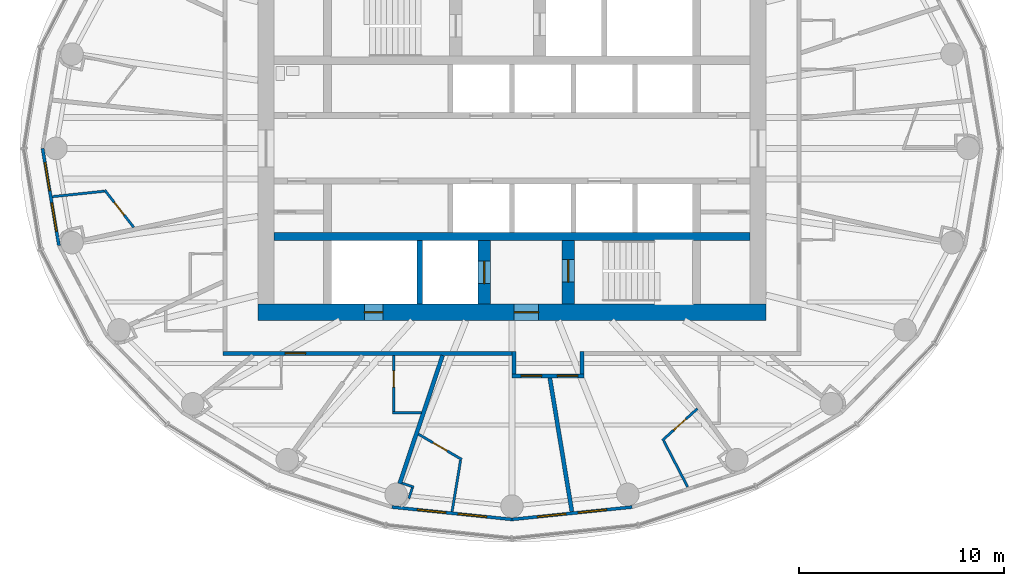
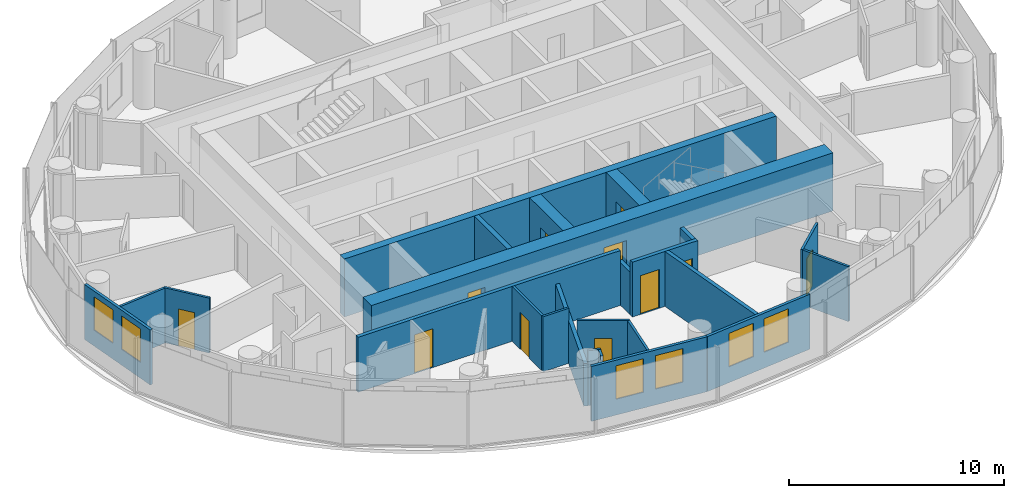
# One storey, part 7 of 14: 24 walls, 11 doors, 6 windows, 17 openings.
"""IFC4 building model written with IfcOpenShell, lengths in metres."""

import ifcopenshell
import ifcopenshell.guid

model = None  # the IFC model being written
_history = None  # IfcOwnerHistory: only IFC2X3 demands one
_inside = {}  # id of a spatial element -> (the spatial element, [elements in it])
_under = {}  # id of a project, library or spatial element -> (it, [spatial elements below it])
_declared = {}  # id of a project -> (the project, [libraries it declares])
_typed = {}  # id of a type object -> (the type object, [elements of that type])
_made_of = {}  # id of a material, layer set ... -> (it, [elements and type objects made of it])


def new_model(schema):
    """Start an empty IFC model of exactly this schema.

    Asked for "IFC4X3", IfcOpenShell would pick the latest addendum, in which some entities
    have other attributes; the version numbers below select the first issue.
    IFC2X3 requires an IfcOwnerHistory on every rooted entity: one is made here for all.
    """
    global model, _history
    if schema == "IFC4X3":
        model = ifcopenshell.file(schema_version=(4, 3, 0, 0))
    else:
        model = ifcopenshell.file(schema=schema)
    _inside.clear()
    _under.clear()
    _declared.clear()
    _typed.clear()
    _made_of.clear()
    _history = None
    if model.schema == "IFC2X3":
        org = make("IfcOrganization", Name="unknown")
        user = make(
            "IfcPersonAndOrganization",
            ThePerson=make("IfcPerson", FamilyName="unknown"),
            TheOrganization=org,
        )
        app = make(
            "IfcApplication",
            ApplicationDeveloper=org,
            Version="unknown",
            ApplicationFullName="unknown",
            ApplicationIdentifier="unknown",
        )
        _history = make(
            "IfcOwnerHistory",
            OwningUser=user,
            OwningApplication=app,
            ChangeAction="ADDED",
            CreationDate=0,
        )
    return model


def make(cls, **values):
    """One entity of the class cls with the attributes given. An attribute that is None is left unset."""
    return model.create_entity(
        cls, **{name: value for name, value in values.items() if value is not None}
    )


def rooted(cls, **values):
    """An entity with a GlobalId (a new one), such as an element, a storey or a relation."""
    return make(cls, GlobalId=ifcopenshell.guid.new(), OwnerHistory=_history, **values)


def si_unit(unit_type, name, prefix=None):
    """IfcSIUnit, for example si_unit("LENGTHUNIT", "METRE", prefix="MILLI")."""
    return make("IfcSIUnit", UnitType=unit_type, Prefix=prefix, Name=name)


def assignment(units):
    """IfcUnitAssignment: the units of a project."""
    return None if units is None else make("IfcUnitAssignment", Units=units)


def point(xyz):
    """IfcCartesianPoint."""
    return None if xyz is None else make("IfcCartesianPoint", Coordinates=xyz)


def direction(xyz):
    """IfcDirection."""
    return None if xyz is None else make("IfcDirection", DirectionRatios=xyz)


def frame(location, z_axis=None, x_axis=None):
    """IfcAxis2Placement3D, a coordinate frame: its origin and axes. An axis left out is left unset."""
    return make(
        "IfcAxis2Placement3D",
        Location=point(location),
        Axis=direction(z_axis),
        RefDirection=direction(x_axis),
    )


def frame_2d(location, x_axis=None):
    """IfcAxis2Placement2D, a coordinate frame in the plane: its origin and x axis."""
    return make(
        "IfcAxis2Placement2D", Location=point(location), RefDirection=direction(x_axis)
    )


def origin():
    """The frame at (0, 0, 0) with its axes left unset."""
    return frame((0.0, 0.0, 0.0))


def place(relative_to, where):
    """IfcLocalPlacement: puts the frame where relative to a parent placement (None: the world)."""
    return make(
        "IfcLocalPlacement", PlacementRelTo=relative_to, RelativePlacement=where
    )


def context(
    kind, dimensions, precision=None, world=None, true_north=None, identifier=None
):
    """IfcGeometricRepresentationContext, for example the 3D "Model" context."""
    return make(
        "IfcGeometricRepresentationContext",
        ContextIdentifier=identifier,
        ContextType=kind,
        CoordinateSpaceDimension=dimensions,
        Precision=precision,
        WorldCoordinateSystem=world,
        TrueNorth=true_north,
    )


def subcontext(parent, identifier, kind, view, scale=None):
    """IfcGeometricRepresentationSubContext, for example "Body" below "Model"."""
    return make(
        "IfcGeometricRepresentationSubContext",
        ContextIdentifier=identifier,
        ContextType=kind,
        ParentContext=parent,
        TargetScale=scale,
        TargetView=view,
    )


def project(units=None, contexts=None):
    """IfcProject with its units and contexts."""
    return rooted(
        "IfcProject",
        Name="project",
        RepresentationContexts=contexts,
        UnitsInContext=assignment(units),
    )


def spatial(cls, under=None, at=None, **own):
    """A site, building, storey or space (cls), placed at a placement, below another one or the project."""
    s = rooted(cls, ObjectPlacement=at, **own)
    if under is not None:
        _under.setdefault(under.id(), (under, []))[1].append(s)
    return s


def profile(cls, at=None, kind="AREA", **sizes):
    """A parametric profile (cls). Its sizes go by their IFC names, for example OverallWidth=200.0."""
    return make(cls, ProfileType=kind, Position=at, **sizes)


def rectangle(**sizes):
    """IfcRectangleProfileDef."""
    return profile("IfcRectangleProfileDef", **sizes)


def extrude(swept, where, along, depth):
    """IfcExtrudedAreaSolid: the profile swept, set in the frame where, extruded along a direction by depth."""
    return make(
        "IfcExtrudedAreaSolid",
        SweptArea=swept,
        Position=where,
        ExtrudedDirection=direction(along),
        Depth=depth,
    )


def shape(context_of_items, identifier, shape_type, items):
    """IfcShapeRepresentation: the items that make up one representation, for example the "Body"."""
    return make(
        "IfcShapeRepresentation",
        ContextOfItems=context_of_items,
        RepresentationIdentifier=identifier,
        RepresentationType=shape_type,
        Items=items,
    )


def material(Name=None, Category=None):
    """IfcMaterial."""
    return make("IfcMaterial", Name=Name, Category=Category)


def layer(
    of_material, thickness, ventilated=None, Name=None, Category=None, Priority=None
):
    """IfcMaterialLayer: one layer of a wall or slab, of a material (None: an air gap)."""
    return make(
        "IfcMaterialLayer",
        Material=of_material,
        LayerThickness=thickness,
        IsVentilated=ventilated,
        Name=Name,
        Category=Category,
        Priority=Priority,
    )


def layer_set(layers, Name=None):
    """IfcMaterialLayerSet."""
    return make("IfcMaterialLayerSet", MaterialLayers=layers, LayerSetName=Name)


def made_of(thing, what):
    """Note that an element or type object is made of a material, layer set ...; save() writes the relation."""
    if what is not None:
        _made_of.setdefault(what.id(), (what, []))[1].append(thing)
    return thing


def type_object(cls, material=None, **own):
    """A type object (cls), such as IfcWallType, which elements share."""
    return made_of(rooted(cls, **own), material)


def element(
    cls,
    number,
    at=None,
    inside=None,
    cuts=None,
    type_object=None,
    material=None,
    context=None,
    identifier="Body",
    shape_type=None,
    held_by="IfcProductDefinitionShape",
    body=None,
    shapes=None,
    **own,
):
    """One element of the class cls, such as IfcWall. Its Tag is "e" and its number.

    at: its placement. inside: the storey or other place that contains it. cuts: it is an
    opening in that element (IfcRelVoidsElement). A single representation is given by context,
    identifier, shape_type and body (its items); several are given by shapes. held_by: the class
    of the entity that holds the representations. save() writes the other relations.
    """
    e = rooted(cls, Tag="e%d" % number, ObjectPlacement=at, **own)
    if body is not None:
        shapes = [shape(context, identifier, shape_type, body)]
    if shapes is not None:
        e.Representation = make(held_by, Representations=shapes)
    if inside is not None:
        _inside.setdefault(inside.id(), (inside, []))[1].append(e)
    if cuts is not None:
        rooted(
            "IfcRelVoidsElement", RelatingBuildingElement=cuts, RelatedOpeningElement=e
        )
    if type_object is not None:
        _typed.setdefault(type_object.id(), (type_object, []))[1].append(e)
    return made_of(e, material)


def fill(opening, filler):
    """IfcRelFillsElement: the door or window that sits in an opening."""
    return rooted(
        "IfcRelFillsElement",
        RelatingOpeningElement=opening,
        RelatedBuildingElement=filler,
    )


def aggregate(whole, parts):
    """IfcRelAggregates: a whole, such as a stair, and the parts it consists of."""
    return rooted("IfcRelAggregates", RelatingObject=whole, RelatedObjects=parts)


def save(model, path):
    """Write the relations noted so far, then the file.

    IfcRelAggregates (storeys below a building ...), IfcRelContainedInSpatialStructure (elements
    in a storey), IfcRelDefinesByType, IfcRelAssociatesMaterial and IfcRelDeclares: one each for
    every whole, place, type object, material and project.
    """
    for whole, parts in _under.values():
        aggregate(whole, parts)
    for where, things in _inside.values():
        rooted(
            "IfcRelContainedInSpatialStructure",
            RelatedElements=things,
            RelatingStructure=where,
        )
    for kind, things in _typed.values():
        rooted("IfcRelDefinesByType", RelatedObjects=things, RelatingType=kind)
    for what, things in _made_of.values():
        rooted("IfcRelAssociatesMaterial", RelatedObjects=things, RelatingMaterial=what)
    for by, libraries in _declared.values():
        rooted("IfcRelDeclares", RelatingContext=by, RelatedDefinitions=libraries)
    model.write(path)


model = new_model("IFC4")

# Units and contexts
model_context = context("Model", 3, precision=1e-05, world=origin(), true_north=direction((0.0, 1.0)))
body_context = subcontext(model_context, "Body", "Model", "MODEL_VIEW")
ifc_project = project(units=[si_unit("LENGTHUNIT", "METRE"), si_unit("AREAUNIT", "SQUARE_METRE"), si_unit("VOLUMEUNIT", "CUBIC_METRE"), si_unit("PLANEANGLEUNIT", "RADIAN"), si_unit("MASSUNIT", "GRAM", prefix="KILO")], contexts=[model_context])

# Site, building, storey
site_placement = place(None, origin())
site = spatial("IfcSite", under=ifc_project, at=site_placement, CompositionType="ELEMENT")
building_placement = place(site_placement, origin())
building = spatial("IfcBuilding", under=site, at=building_placement, Name="Hankou Lantern Tower", CompositionType="ELEMENT")
storey_placement = place(building_placement, frame((0.0, 0.0, 176.39990234375)))
storey = spatial("IfcBuildingStorey", under=building, at=storey_placement, Name="L47", CompositionType="ELEMENT", Elevation=176.39990234375)

# Wall, openings, doors
ifc_material_1 = material(Name="Concrete C60", Category="concrete")
ifc_layer_1 = layer(ifc_material_1, 0.800048828125)
ifc_layer_set_1 = layer_set([ifc_layer_1], Name="Concrete C60")
wall_type_1 = type_object("IfcWallType", Name="CW2 CORE WALL 800", PredefinedType="SHEAR", material=ifc_layer_set_1)
wall_1_placement = place(storey_placement, frame((12.39990234375, -8.0, 0.0), z_axis=(0.0, 0.0, 1.0), x_axis=(-1.0, 0.0, 0.0)))
wall_1 = element("IfcWall", 1, at=wall_1_placement, inside=storey, type_object=wall_type_1, Name="Core wall south L47", PredefinedType="SHEAR", context=body_context, shape_type="SweptSolid", body=[
    extrude(rectangle(XDim=24.7998046875, YDim=0.800048828125, at=frame_2d((12.39990234375, 0.0))), origin(), (0.0, 0.0, 1.0), 3.300048828125),
])
opening_1_placement = place(wall_1_placement, frame((11.10009765625, 0.0, 0.0)))
opening_1 = element("IfcOpeningElement", 2, at=opening_1_placement, cuts=wall_1, Name="Opening D5", PredefinedType="OPENING", context=body_context, shape_type="SweptSolid", body=[
    extrude(rectangle(XDim=1.199951171875, YDim=2.199951171875, at=frame_2d((0.60009765625, 1.10009765625))), frame((0.0, 0.409912109375, 0.0), z_axis=(0.0, -1.0, 0.0), x_axis=(1.0, 0.0, 0.0)), (0.0, 0.0, 1.0), 0.820068359375),
])
opening_2_placement = place(wall_1_placement, frame((18.699951171875, 0.0, 0.0)))
opening_2 = element("IfcOpeningElement", 3, at=opening_2_placement, cuts=wall_1, Name="Opening D7", PredefinedType="OPENING", context=body_context, shape_type="SweptSolid", body=[
    extrude(rectangle(XDim=0.89990234375, YDim=2.199951171875, at=frame_2d((0.449951171875, 1.10009765625))), frame((0.0, 0.409912109375, 0.0), z_axis=(0.0, -1.0, 0.0), x_axis=(1.0, 0.0, 0.0)), (0.0, 0.0, 1.0), 0.820068359375),
])
ifc_material_2 = material(Name="Steel door leaf", Category="steel")
door_type_1 = type_object("IfcDoorType", Name="D5 STAIR LOBBY DOOR 1200X2200", OperationType="SINGLE_SWING_LEFT", PredefinedType="DOOR", material=ifc_material_2)
door_1_placement = place(opening_1_placement, origin())
door_1 = element("IfcDoor", 4, at=door_1_placement, inside=storey, type_object=door_type_1, Name="Stair B lobby door", OperationType="SINGLE_SWING_LEFT", OverallHeight=2.199951171875, OverallWidth=1.199951171875, PredefinedType="DOOR", context=body_context, shape_type="SweptSolid", body=[
    extrude(rectangle(XDim=1.199951171875, YDim=2.199951171875, at=frame_2d((0.60009765625, 1.10009765625))), frame((0.0, 0.02490234375, 0.0), z_axis=(0.0, -1.0, 0.0), x_axis=(1.0, 0.0, 0.0)), (0.0, 0.0, 1.0), 0.050048828125),
])
fill(opening_1, door_1)
ifc_material_3 = material(Name="Steel door leaf", Category="steel")
door_type_2 = type_object("IfcDoorType", Name="D7 RISER DOOR 900X2200", OperationType="SINGLE_SWING_LEFT", PredefinedType="DOOR", material=ifc_material_3)
door_2_placement = place(opening_2_placement, origin())
door_2 = element("IfcDoor", 5, at=door_2_placement, inside=storey, type_object=door_type_2, Name="Riser S1 door", OperationType="SINGLE_SWING_RIGHT", OverallHeight=2.199951171875, OverallWidth=0.89990234375, PredefinedType="DOOR", context=body_context, shape_type="SweptSolid", body=[
    extrude(rectangle(XDim=0.89990234375, YDim=2.199951171875, at=frame_2d((0.449951171875, 1.10009765625))), frame((0.0, 0.02490234375, 0.0), z_axis=(0.0, -1.0, 0.0), x_axis=(1.0, 0.0, 0.0)), (0.0, 0.0, 1.0), 0.050048828125),
])
fill(opening_2, door_2)

# Wall
ifc_material_4 = material(Name="Concrete C60", Category="concrete")
ifc_layer_2 = layer(ifc_material_4, 0.39990234375)
ifc_layer_set_2 = layer_set([ifc_layer_2], Name="Concrete C60")
wall_type_2 = type_object("IfcWallType", Name="CW4 CORE CROSS WALL 400", PredefinedType="SHEAR", material=ifc_layer_set_2)
wall_2_placement = place(storey_placement, frame((-11.60009765625, -4.300048828125, 0.0), z_axis=(0.0, 0.0, 1.0), x_axis=(1.0, 0.0, 0.0)))
element("IfcWall", 6, at=wall_2_placement, inside=storey, type_object=wall_type_2, Name="Core band wall south L47", PredefinedType="SHEAR", context=body_context, shape_type="SweptSolid", body=[
    extrude(rectangle(XDim=23.2001953125, YDim=0.39990234375, at=frame_2d((11.60009765625, 0.0))), origin(), (0.0, 0.0, 1.0), 3.300048828125),
])

# Wall, opening, door
ifc_material_5 = material(Name="Concrete C60", Category="concrete")
ifc_layer_3 = layer(ifc_material_5, 0.60009765625)
ifc_layer_set_3 = layer_set([ifc_layer_3], Name="Concrete C60")
wall_type_3 = type_object("IfcWallType", Name="CW6 STAIR AND SHAFT WALL 600", PredefinedType="SHEAR", material=ifc_layer_set_3)
wall_3_placement = place(storey_placement, frame((2.75, -7.60009765625, 0.0), z_axis=(0.0, 0.0, 1.0), x_axis=(0.0, 1.0, 0.0)))
wall_3 = element("IfcWall", 7, at=wall_3_placement, inside=storey, type_object=wall_type_3, Name="Stair wall L47", PredefinedType="SHEAR", context=body_context, shape_type="SweptSolid", body=[
    extrude(rectangle(XDim=3.10009765625, YDim=0.60009765625, at=frame_2d((1.550048828125, 0.0))), origin(), (0.0, 0.0, 1.0), 3.300048828125),
])
opening_3_placement = place(wall_3_placement, frame((1.074951171875, 0.0, 0.0)))
opening_3 = element("IfcOpeningElement", 8, at=opening_3_placement, cuts=wall_3, Name="Opening D4", PredefinedType="OPENING", context=body_context, shape_type="SweptSolid", body=[
    extrude(rectangle(XDim=1.10009765625, YDim=2.199951171875, at=frame_2d((0.550048828125, 1.10009765625))), frame((0.0, 0.31005859375, 0.0), z_axis=(0.0, -1.0, 0.0), x_axis=(1.0, 0.0, 0.0)), (0.0, 0.0, 1.0), 0.6201171875),
])
ifc_material_6 = material(Name="Steel door leaf", Category="steel")
door_type_3 = type_object("IfcDoorType", Name="D4 STAIR DOOR 1100X2200", OperationType="SINGLE_SWING_LEFT", PredefinedType="DOOR", material=ifc_material_6)
door_3_placement = place(opening_3_placement, origin())
door_3 = element("IfcDoor", 9, at=door_3_placement, inside=storey, type_object=door_type_3, Name="Stair B door", OperationType="SINGLE_SWING_RIGHT", OverallHeight=2.199951171875, OverallWidth=1.10009765625, PredefinedType="DOOR", context=body_context, shape_type="SweptSolid", body=[
    extrude(rectangle(XDim=1.10009765625, YDim=2.199951171875, at=frame_2d((0.550048828125, 1.10009765625))), frame((0.0, 0.02490234375, 0.0), z_axis=(0.0, -1.0, 0.0), x_axis=(1.0, 0.0, 0.0)), (0.0, 0.0, 1.0), 0.050048828125),
])
fill(opening_3, door_3)

wall_4_placement = place(storey_placement, frame((-1.35009765625, -7.60009765625, 0.0), z_axis=(0.0, 0.0, 1.0), x_axis=(0.0, 1.0, 0.0)))
wall_4 = element("IfcWall", 10, at=wall_4_placement, inside=storey, type_object=wall_type_3, Name="Firefighting lift shaft wall L47", PredefinedType="SHEAR", context=body_context, shape_type="SweptSolid", body=[
    extrude(rectangle(XDim=3.10009765625, YDim=0.60009765625, at=frame_2d((1.550048828125, 0.0))), origin(), (0.0, 0.0, 1.0), 3.300048828125),
])
opening_4_placement = place(wall_4_placement, frame((1.0, 0.0, 0.0)))
opening_4 = element("IfcOpeningElement", 11, at=opening_4_placement, cuts=wall_4, Name="Opening LD2", PredefinedType="OPENING", context=body_context, shape_type="SweptSolid", body=[
    extrude(rectangle(XDim=1.10009765625, YDim=2.199951171875, at=frame_2d((0.550048828125, 1.10009765625))), frame((0.0, 0.31005859375, 0.0), z_axis=(0.0, -1.0, 0.0), x_axis=(1.0, 0.0, 0.0)), (0.0, 0.0, 1.0), 0.6201171875),
])
ifc_material_7 = material(Name="Steel door leaf", Category="steel")
door_type_4 = type_object("IfcDoorType", Name="LD2 FIREFIGHTING LIFT LANDING DOOR 1100X2200", OperationType="DOUBLE_DOOR_SLIDING", PredefinedType="DOOR", material=ifc_material_7)
door_4_placement = place(opening_4_placement, origin())
door_4 = element("IfcDoor", 12, at=door_4_placement, inside=storey, type_object=door_type_4, Name="Firefighting lift FL2 landing door", OperationType="DOUBLE_DOOR_SLIDING", OverallHeight=2.199951171875, OverallWidth=1.10009765625, PredefinedType="DOOR", context=body_context, shape_type="SweptSolid", body=[
    extrude(rectangle(XDim=1.10009765625, YDim=2.199951171875, at=frame_2d((0.550048828125, 1.10009765625))), frame((0.0, 0.02490234375, 0.0), z_axis=(0.0, -1.0, 0.0), x_axis=(1.0, 0.0, 0.0)), (0.0, 0.0, 1.0), 0.050048828125),
])
fill(opening_4, door_4)

# Wall, openings, windows
ifc_material_8 = material(Name="Aluminium spandrel panel on steel studs", Category="steel")
ifc_layer_4 = layer(ifc_material_8, 0.14990234375)
ifc_layer_set_4 = layer_set([ifc_layer_4], Name="Aluminium spandrel panel on steel studs")
wall_type_4 = type_object("IfcWallType", Name="EW1 INNER SKIN WALL 150", PredefinedType="ELEMENTEDWALL", material=ifc_layer_set_4)
wall_5_placement = place(storey_placement, frame((-22.89990234375, 0.0, 0.0), z_axis=(0.0, 0.0, 1.0), x_axis=(0.166162111254, -0.986098449843, 0.0)))
wall_5 = element("IfcWall", 13, at=wall_5_placement, inside=storey, type_object=wall_type_4, Name="Inner skin R13-R14 L47", PredefinedType="ELEMENTEDWALL", context=body_context, shape_type="SweptSolid", body=[
    extrude(rectangle(XDim=4.8046875, YDim=0.14990234375, at=frame_2d((2.40234375, 0.0))), origin(), (0.0, 0.0, 1.0), 3.1201171875),
])
opening_5_placement = place(wall_5_placement, frame((0.7021484375, 0.0, 0.89990234375)))
opening_5 = element("IfcOpeningElement", 14, at=opening_5_placement, cuts=wall_5, Name="Opening W3", PredefinedType="OPENING", context=body_context, shape_type="SweptSolid", body=[
    extrude(rectangle(XDim=1.39990234375, YDim=1.89990234375, at=frame_2d((0.699951171875, 0.949951171875))), frame((0.0, 0.0849609375, 0.0), z_axis=(0.0, -1.0, 0.0), x_axis=(1.0, 0.0, 0.0)), (0.0, 0.0, 1.0), 0.169921875),
])
opening_6_placement = place(wall_5_placement, frame((2.7021484375, 0.0, 0.89990234375)))
opening_6 = element("IfcOpeningElement", 15, at=opening_6_placement, cuts=wall_5, Name="Opening W3", PredefinedType="OPENING", context=body_context, shape_type="SweptSolid", body=[
    extrude(rectangle(XDim=1.39990234375, YDim=1.89990234375, at=frame_2d((0.699951171875, 0.949951171875))), frame((0.0, 0.0849609375, 0.0), z_axis=(0.0, -1.0, 0.0), x_axis=(1.0, 0.0, 0.0)), (0.0, 0.0, 1.0), 0.169921875),
])
ifc_material_9 = material(Name="Aluminium framed double glazed window", Category="aluminium")
window_type = type_object("IfcWindowType", Name="W3 GUEST ROOM WINDOW 1400X1900", PartitioningType="DOUBLE_PANEL_VERTICAL", PredefinedType="WINDOW", material=ifc_material_9)
window_1_placement = place(opening_5_placement, origin())
window_1 = element("IfcWindow", 16, at=window_1_placement, inside=storey, type_object=window_type, Name="Window R13.1 L47", OverallHeight=1.89990234375, OverallWidth=1.39990234375, PartitioningType="SINGLE_PANEL", PredefinedType="WINDOW", context=body_context, shape_type="SweptSolid", body=[
    extrude(rectangle(XDim=1.39990234375, YDim=1.89990234375, at=frame_2d((0.699951171875, 0.949951171875))), frame((0.0, 0.030029296875, 0.0), z_axis=(0.0, -1.0, 0.0), x_axis=(1.0, 0.0, 0.0)), (0.0, 0.0, 1.0), 0.06005859375),
])
fill(opening_5, window_1)
window_2_placement = place(opening_6_placement, origin())
window_2 = element("IfcWindow", 17, at=window_2_placement, inside=storey, type_object=window_type, Name="Window R13.2 L47", OverallHeight=1.89990234375, OverallWidth=1.39990234375, PartitioningType="SINGLE_PANEL", PredefinedType="WINDOW", context=body_context, shape_type="SweptSolid", body=[
    extrude(rectangle(XDim=1.39990234375, YDim=1.89990234375, at=frame_2d((0.699951171875, 0.949951171875))), frame((0.0, 0.030029296875, 0.0), z_axis=(0.0, -1.0, 0.0), x_axis=(1.0, 0.0, 0.0)), (0.0, 0.0, 1.0), 0.06005859375),
])
fill(opening_6, window_2)

wall_6_placement = place(storey_placement, frame((-5.8603515625, -17.497314453125, 0.0), z_axis=(0.0, 0.0, 1.0), x_axis=(0.994751738032, -0.102318032045, 0.0)))
wall_6 = element("IfcWall", 18, at=wall_6_placement, inside=storey, type_object=wall_type_4, Name="Inner skin R18-R19 L47", PredefinedType="ELEMENTEDWALL", context=body_context, shape_type="SweptSolid", body=[
    extrude(rectangle(XDim=5.891357421875, YDim=0.14990234375, at=frame_2d((2.94580078125, 0.0))), origin(), (0.0, 0.0, 1.0), 3.1201171875),
])
opening_7_placement = place(wall_6_placement, frame((1.24560546875, 0.0, 0.89990234375)))
opening_7 = element("IfcOpeningElement", 19, at=opening_7_placement, cuts=wall_6, Name="Opening W3", PredefinedType="OPENING", context=body_context, shape_type="SweptSolid", body=[
    extrude(rectangle(XDim=1.39990234375, YDim=1.89990234375, at=frame_2d((0.699951171875, 0.949951171875))), frame((0.0, 0.0849609375, 0.0), z_axis=(0.0, -1.0, 0.0), x_axis=(1.0, 0.0, 0.0)), (0.0, 0.0, 1.0), 0.169921875),
])
opening_8_placement = place(wall_6_placement, frame((3.24560546875, 0.0, 0.89990234375)))
opening_8 = element("IfcOpeningElement", 20, at=opening_8_placement, cuts=wall_6, Name="Opening W3", PredefinedType="OPENING", context=body_context, shape_type="SweptSolid", body=[
    extrude(rectangle(XDim=1.39990234375, YDim=1.89990234375, at=frame_2d((0.699951171875, 0.949951171875))), frame((0.0, 0.0849609375, 0.0), z_axis=(0.0, -1.0, 0.0), x_axis=(1.0, 0.0, 0.0)), (0.0, 0.0, 1.0), 0.169921875),
])
window_3_placement = place(opening_7_placement, origin())
window_3 = element("IfcWindow", 21, at=window_3_placement, inside=storey, type_object=window_type, Name="Window R18.1 L47", OverallHeight=1.89990234375, OverallWidth=1.39990234375, PartitioningType="SINGLE_PANEL", PredefinedType="WINDOW", context=body_context, shape_type="SweptSolid", body=[
    extrude(rectangle(XDim=1.39990234375, YDim=1.89990234375, at=frame_2d((0.699951171875, 0.949951171875))), frame((0.0, 0.030029296875, 0.0), z_axis=(0.0, -1.0, 0.0), x_axis=(1.0, 0.0, 0.0)), (0.0, 0.0, 1.0), 0.06005859375),
])
fill(opening_7, window_3)
window_4_placement = place(opening_8_placement, origin())
window_4 = element("IfcWindow", 22, at=window_4_placement, inside=storey, type_object=window_type, Name="Window R18.2 L47", OverallHeight=1.89990234375, OverallWidth=1.39990234375, PartitioningType="SINGLE_PANEL", PredefinedType="WINDOW", context=body_context, shape_type="SweptSolid", body=[
    extrude(rectangle(XDim=1.39990234375, YDim=1.89990234375, at=frame_2d((0.699951171875, 0.949951171875))), frame((0.0, 0.030029296875, 0.0), z_axis=(0.0, -1.0, 0.0), x_axis=(1.0, 0.0, 0.0)), (0.0, 0.0, 1.0), 0.06005859375),
])
fill(opening_8, window_4)

wall_7_placement = place(storey_placement, frame((0.0, -18.10009765625, 0.0), z_axis=(0.0, 0.0, 1.0), x_axis=(0.994751738032, 0.102318032045, 0.0)))
wall_7 = element("IfcWall", 23, at=wall_7_placement, inside=storey, type_object=wall_type_4, Name="Inner skin R19-R20 L47", PredefinedType="ELEMENTEDWALL", context=body_context, shape_type="SweptSolid", body=[
    extrude(rectangle(XDim=5.891357421875, YDim=0.14990234375, at=frame_2d((2.94580078125, 0.0))), origin(), (0.0, 0.0, 1.0), 3.1201171875),
])
opening_9_placement = place(wall_7_placement, frame((1.24560546875, 0.0, 0.89990234375)))
opening_9 = element("IfcOpeningElement", 24, at=opening_9_placement, cuts=wall_7, Name="Opening W3", PredefinedType="OPENING", context=body_context, shape_type="SweptSolid", body=[
    extrude(rectangle(XDim=1.39990234375, YDim=1.89990234375, at=frame_2d((0.699951171875, 0.949951171875))), frame((0.0, 0.0849609375, 0.0), z_axis=(0.0, -1.0, 0.0), x_axis=(1.0, 0.0, 0.0)), (0.0, 0.0, 1.0), 0.169921875),
])
opening_10_placement = place(wall_7_placement, frame((3.24560546875, 0.0, 0.89990234375)))
opening_10 = element("IfcOpeningElement", 25, at=opening_10_placement, cuts=wall_7, Name="Opening W3", PredefinedType="OPENING", context=body_context, shape_type="SweptSolid", body=[
    extrude(rectangle(XDim=1.39990234375, YDim=1.89990234375, at=frame_2d((0.699951171875, 0.949951171875))), frame((0.0, 0.0849609375, 0.0), z_axis=(0.0, -1.0, 0.0), x_axis=(1.0, 0.0, 0.0)), (0.0, 0.0, 1.0), 0.169921875),
])
window_5_placement = place(opening_9_placement, origin())
window_5 = element("IfcWindow", 26, at=window_5_placement, inside=storey, type_object=window_type, Name="Window R19.1 L47", OverallHeight=1.89990234375, OverallWidth=1.39990234375, PartitioningType="SINGLE_PANEL", PredefinedType="WINDOW", context=body_context, shape_type="SweptSolid", body=[
    extrude(rectangle(XDim=1.39990234375, YDim=1.89990234375, at=frame_2d((0.699951171875, 0.949951171875))), frame((0.0, 0.030029296875, 0.0), z_axis=(0.0, -1.0, 0.0), x_axis=(1.0, 0.0, 0.0)), (0.0, 0.0, 1.0), 0.06005859375),
])
fill(opening_9, window_5)
window_6_placement = place(opening_10_placement, origin())
window_6 = element("IfcWindow", 27, at=window_6_placement, inside=storey, type_object=window_type, Name="Window R19.2 L47", OverallHeight=1.89990234375, OverallWidth=1.39990234375, PartitioningType="SINGLE_PANEL", PredefinedType="WINDOW", context=body_context, shape_type="SweptSolid", body=[
    extrude(rectangle(XDim=1.39990234375, YDim=1.89990234375, at=frame_2d((0.699951171875, 0.949951171875))), frame((0.0, 0.030029296875, 0.0), z_axis=(0.0, -1.0, 0.0), x_axis=(1.0, 0.0, 0.0)), (0.0, 0.0, 1.0), 0.06005859375),
])
fill(opening_10, window_6)

# Walls
ifc_material_10 = material(Name="Masonry lightweight concrete block", Category="masonry")
ifc_layer_5 = layer(ifc_material_10, 0.199951171875)
ifc_layer_set_5 = layer_set([ifc_layer_5], Name="Masonry lightweight concrete block")
wall_type_5 = type_object("IfcWallType", Name="IW1 GUEST ROOM PARTY WALL 200", PredefinedType="PARTITIONING", material=ifc_layer_set_5)
wall_8_placement = place(storey_placement, frame((-3.3828125, -10.10009765625, 0.0), z_axis=(0.0, 0.0, 1.0), x_axis=(-0.317615120474, -0.948219718866, 0.0)))
element("IfcWall", 28, at=wall_8_placement, inside=storey, type_object=wall_type_5, Name="Party wall R18", PredefinedType="PARTITIONING", context=body_context, shape_type="SweptSolid", body=[
    extrude(rectangle(XDim=6.597412109375, YDim=0.199951171875, at=frame_2d((3.298828125, 0.0))), origin(), (0.0, 0.0, 1.0), 2.420166015625),
])
wall_9_placement = place(storey_placement, frame((1.8466796875, -11.199951171875, 0.0), z_axis=(0.0, 0.0, 1.0), x_axis=(0.162695449404, -0.986676335352, 0.0)))
element("IfcWall", 29, at=wall_9_placement, inside=storey, type_object=wall_type_5, Name="Party wall R19-R20", PredefinedType="PARTITIONING", context=body_context, shape_type="SweptSolid", body=[
    extrude(rectangle(XDim=6.60107421875, YDim=0.199951171875, at=frame_2d((3.300537109375, 0.0))), origin(), (0.0, 0.0, 1.0), 3.1201171875),
])

# Wall, openings, doors
ifc_material_11 = material(Name="Masonry lightweight concrete block", Category="masonry")
ifc_layer_6 = layer(ifc_material_11, 0.199951171875)
ifc_layer_set_6 = layer_set([ifc_layer_6], Name="Masonry lightweight concrete block")
wall_type_6 = type_object("IfcWallType", Name="IW2 CORRIDOR WALL 200", PredefinedType="PARTITIONING", material=ifc_layer_set_6)
wall_10_placement = place(storey_placement, frame((3.51806640625, -11.10009765625, 0.0), z_axis=(0.0, 0.0, 1.0), x_axis=(-1.0, 0.0, 0.0)))
wall_10 = element("IfcWall", 30, at=wall_10_placement, inside=storey, type_object=wall_type_6, Name="Corridor alcove wall 4703-4704 back", PredefinedType="PARTITIONING", context=body_context, shape_type="SweptSolid", body=[
    extrude(rectangle(XDim=3.52392578125, YDim=0.199951171875, at=frame_2d((1.761962890625, 0.0))), origin(), (0.0, 0.0, 1.0), 3.1201171875),
])
opening_11_placement = place(wall_10_placement, frame((2.070068359375, 0.0, 0.0)))
opening_11 = element("IfcOpeningElement", 31, at=opening_11_placement, cuts=wall_10, Name="Opening D1", PredefinedType="OPENING", context=body_context, shape_type="SweptSolid", body=[
    extrude(rectangle(XDim=1.0, YDim=2.199951171875, at=frame_2d((0.5, 1.10009765625))), frame((0.0, 0.10986328125, 0.0), z_axis=(0.0, -1.0, 0.0), x_axis=(1.0, 0.0, 0.0)), (0.0, 0.0, 1.0), 0.219970703125),
])
opening_12_placement = place(wall_10_placement, frame((0.300048828125, 0.0, 0.0)))
opening_12 = element("IfcOpeningElement", 32, at=opening_12_placement, cuts=wall_10, Name="Opening D1", PredefinedType="OPENING", context=body_context, shape_type="SweptSolid", body=[
    extrude(rectangle(XDim=1.0, YDim=2.199951171875, at=frame_2d((0.5, 1.10009765625))), frame((0.0, 0.10986328125, 0.0), z_axis=(0.0, -1.0, 0.0), x_axis=(1.0, 0.0, 0.0)), (0.0, 0.0, 1.0), 0.219970703125),
])
ifc_material_12 = material(Name="Steel door leaf", Category="steel")
door_type_5 = type_object("IfcDoorType", Name="D1 GUEST ROOM DOOR 1000X2200", OperationType="SINGLE_SWING_LEFT", PredefinedType="DOOR", material=ifc_material_12)
door_5_placement = place(opening_11_placement, origin())
door_5 = element("IfcDoor", 33, at=door_5_placement, inside=storey, type_object=door_type_5, Name="Guest room door 4703", OperationType="SINGLE_SWING_LEFT", OverallHeight=2.199951171875, OverallWidth=1.0, PredefinedType="DOOR", context=body_context, shape_type="SweptSolid", body=[
    extrude(rectangle(XDim=1.0, YDim=2.199951171875, at=frame_2d((0.5, 1.10009765625))), frame((0.0, 0.02490234375, 0.0), z_axis=(0.0, -1.0, 0.0), x_axis=(1.0, 0.0, 0.0)), (0.0, 0.0, 1.0), 0.050048828125),
])
fill(opening_11, door_5)
door_6_placement = place(opening_12_placement, origin())
door_6 = element("IfcDoor", 34, at=door_6_placement, inside=storey, type_object=door_type_5, Name="Guest room door 4704", OperationType="SINGLE_SWING_RIGHT", OverallHeight=2.199951171875, OverallWidth=1.0, PredefinedType="DOOR", context=body_context, shape_type="SweptSolid", body=[
    extrude(rectangle(XDim=1.0, YDim=2.199951171875, at=frame_2d((0.5, 1.10009765625))), frame((0.0, 0.02490234375, 0.0), z_axis=(0.0, -1.0, 0.0), x_axis=(1.0, 0.0, 0.0)), (0.0, 0.0, 1.0), 0.050048828125),
])
fill(opening_12, door_6)

# Walls
wall_11_placement = place(storey_placement, frame((3.418212890625, -9.89990234375, 0.0), z_axis=(0.0, 0.0, 1.0), x_axis=(0.0, -1.0, 0.0)))
element("IfcWall", 35, at=wall_11_placement, inside=storey, type_object=wall_type_6, Name="Corridor alcove wall 4703-4704 left", PredefinedType="PARTITIONING", context=body_context, shape_type="SweptSolid", body=[
    extrude(rectangle(XDim=1.10009765625, YDim=0.199951171875, at=frame_2d((0.550048828125, 0.0))), origin(), (0.0, 0.0, 1.0), 3.1201171875),
])
wall_12_placement = place(storey_placement, frame((0.093994140625, -9.89990234375, 0.0), z_axis=(0.0, 0.0, 1.0), x_axis=(0.0, -1.0, 0.0)))
element("IfcWall", 36, at=wall_12_placement, inside=storey, type_object=wall_type_6, Name="Corridor alcove wall 4703-4704 right", PredefinedType="PARTITIONING", context=body_context, shape_type="SweptSolid", body=[
    extrude(rectangle(XDim=1.10009765625, YDim=0.199951171875, at=frame_2d((0.550048828125, 0.0))), origin(), (0.0, 0.0, 1.0), 2.420166015625),
])

# Wall, opening, door
wall_13_placement = place(storey_placement, frame((-0.005859375, -10.0, 0.0), z_axis=(0.0, 0.0, 1.0), x_axis=(-1.0, 0.0, 0.0)))
wall_13 = element("IfcWall", 37, at=wall_13_placement, inside=storey, type_object=wall_type_6, Name="Corridor wall south", PredefinedType="PARTITIONING", context=body_context, shape_type="SweptSolid", body=[
    extrude(rectangle(XDim=14.09423828125, YDim=0.199951171875, at=frame_2d((7.047119140625, 0.0))), origin(), (0.0, 0.0, 1.0), 3.1201171875),
])
opening_13_placement = place(wall_13_placement, frame((10.05908203125, 0.0, 0.0)))
opening_13 = element("IfcOpeningElement", 38, at=opening_13_placement, cuts=wall_13, Name="Opening D2", PredefinedType="OPENING", context=body_context, shape_type="SweptSolid", body=[
    extrude(rectangle(XDim=1.0, YDim=2.199951171875, at=frame_2d((0.5, 1.10009765625))), frame((0.0, 0.10986328125, 0.0), z_axis=(0.0, -1.0, 0.0), x_axis=(1.0, 0.0, 0.0)), (0.0, 0.0, 1.0), 0.219970703125),
])
ifc_material_13 = material(Name="Steel door leaf", Category="steel")
door_type_6 = type_object("IfcDoorType", Name="D2 SUITE DOOR 1000X2200", OperationType="SINGLE_SWING_LEFT", PredefinedType="DOOR", material=ifc_material_13)
door_7_placement = place(opening_13_placement, origin())
door_7 = element("IfcDoor", 39, at=door_7_placement, inside=storey, type_object=door_type_6, Name="Suite door 4702C", OperationType="SINGLE_SWING_RIGHT", OverallHeight=2.199951171875, OverallWidth=1.0, PredefinedType="DOOR", context=body_context, shape_type="SweptSolid", body=[
    extrude(rectangle(XDim=1.0, YDim=2.199951171875, at=frame_2d((0.5, 1.10009765625))), frame((0.0, 0.02490234375, 0.0), z_axis=(0.0, -1.0, 0.0), x_axis=(1.0, 0.0, 0.0)), (0.0, 0.0, 1.0), 0.050048828125),
])
fill(opening_13, door_7)

# Wall
ifc_material_14 = material(Name="Masonry lightweight concrete block", Category="masonry")
ifc_layer_7 = layer(ifc_material_14, 0.1201171875)
ifc_layer_set_7 = layer_set([ifc_layer_7], Name="Masonry lightweight concrete block")
wall_type_7 = type_object("IfcWallType", Name="IW3 BATHROOM WALL 120", PredefinedType="PARTITIONING", material=ifc_layer_set_7)
wall_14_placement = place(storey_placement, frame((-4.420654296875, -12.89990234375, 0.0), z_axis=(0.0, 0.0, 1.0), x_axis=(-1.0, 0.0, 0.0)))
element("IfcWall", 40, at=wall_14_placement, inside=storey, type_object=wall_type_7, Name="Box wall 4702A 1", PredefinedType="PARTITIONING", context=body_context, shape_type="SweptSolid", body=[
    extrude(rectangle(XDim=1.402099609375, YDim=0.1201171875, at=frame_2d((0.701171875, 0.0))), origin(), (0.0, 0.0, 1.0), 3.1201171875),
])

# Wall, opening, door
wall_15_placement = place(storey_placement, frame((-5.762939453125, -10.10009765625, 0.0), z_axis=(0.0, 0.0, 1.0), x_axis=(0.0, -1.0, 0.0)))
wall_15 = element("IfcWall", 41, at=wall_15_placement, inside=storey, type_object=wall_type_7, Name="Box wall 4702A 1", PredefinedType="PARTITIONING", context=body_context, shape_type="SweptSolid", body=[
    extrude(rectangle(XDim=2.739990234375, YDim=0.1201171875, at=frame_2d((1.3701171875, 0.0))), origin(), (0.0, 0.0, 1.0), 3.1201171875),
])
opening_14_placement = place(wall_15_placement, frame((0.75, 0.0, 0.0)))
opening_14 = element("IfcOpeningElement", 42, at=opening_14_placement, cuts=wall_15, Name="Opening D3", PredefinedType="OPENING", context=body_context, shape_type="SweptSolid", body=[
    extrude(rectangle(XDim=0.800048828125, YDim=2.10009765625, at=frame_2d((0.39990234375, 1.050048828125))), frame((0.0, 0.070068359375, 0.0), z_axis=(0.0, -1.0, 0.0), x_axis=(1.0, 0.0, 0.0)), (0.0, 0.0, 1.0), 0.14013671875),
])
ifc_material_15 = material(Name="Timber door leaf", Category="wood")
door_type_7 = type_object("IfcDoorType", Name="D3 BATHROOM DOOR 800X2100", OperationType="SINGLE_SWING_LEFT", PredefinedType="DOOR", material=ifc_material_15)
door_8_placement = place(opening_14_placement, origin())
door_8 = element("IfcDoor", 43, at=door_8_placement, inside=storey, type_object=door_type_7, Name="Suite 4702 bathroom door", OperationType="SINGLE_SWING_LEFT", OverallHeight=2.10009765625, OverallWidth=0.800048828125, PredefinedType="DOOR", context=body_context, shape_type="SweptSolid", body=[
    extrude(rectangle(XDim=0.800048828125, YDim=2.10009765625, at=frame_2d((0.39990234375, 1.050048828125))), frame((0.0, 0.02490234375, 0.0), z_axis=(0.0, -1.0, 0.0), x_axis=(1.0, 0.0, 0.0)), (0.0, 0.0, 1.0), 0.050048828125),
])
fill(opening_14, door_8)

wall_16_placement = place(storey_placement, frame((-4.564208984375, -13.94189453125, 0.0), z_axis=(0.0, 0.0, 1.0), x_axis=(0.863717519451, -0.503976236139, 0.0)))
wall_16 = element("IfcWall", 44, at=wall_16_placement, inside=storey, type_object=wall_type_7, Name="Box wall 4703 1", PredefinedType="PARTITIONING", context=body_context, shape_type="SweptSolid", body=[
    extrude(rectangle(XDim=2.45263671875, YDim=0.1201171875, at=frame_2d((1.226318359375, 0.0))), origin(), (0.0, 0.0, 1.0), 3.1201171875),
])
opening_15_placement = place(wall_16_placement, frame((0.826171875, 0.0, 0.0)))
opening_15 = element("IfcOpeningElement", 45, at=opening_15_placement, cuts=wall_16, Name="Opening D3", PredefinedType="OPENING", context=body_context, shape_type="SweptSolid", body=[
    extrude(rectangle(XDim=0.800048828125, YDim=2.10009765625, at=frame_2d((0.39990234375, 1.050048828125))), frame((0.0, 0.070068359375, 0.0), z_axis=(0.0, -1.0, 0.0), x_axis=(1.0, 0.0, 0.0)), (0.0, 0.0, 1.0), 0.14013671875),
])
door_9_placement = place(opening_15_placement, origin())
door_9 = element("IfcDoor", 46, at=door_9_placement, inside=storey, type_object=door_type_7, Name="En-suite bathroom 4703 door", OperationType="SINGLE_SWING_LEFT", OverallHeight=2.10009765625, OverallWidth=0.800048828125, PredefinedType="DOOR", context=body_context, shape_type="SweptSolid", body=[
    extrude(rectangle(XDim=0.800048828125, YDim=2.10009765625, at=frame_2d((0.39990234375, 1.050048828125))), frame((0.0, 0.02490234375, 0.0), z_axis=(0.0, -1.0, 0.0), x_axis=(1.0, 0.0, 0.0)), (0.0, 0.0, 1.0), 0.050048828125),
])
fill(opening_15, door_9)

# Walls
wall_17_placement = place(storey_placement, frame((-2.507568359375, -15.20703125, 0.0), z_axis=(0.0, 0.0, 1.0), x_axis=(-0.162637365963, -0.986685911115, 0.0)))
element("IfcWall", 47, at=wall_17_placement, inside=storey, type_object=wall_type_7, Name="Box wall 4703 2", PredefinedType="PARTITIONING", context=body_context, shape_type="SweptSolid", body=[
    extrude(rectangle(XDim=2.5400390625, YDim=0.1201171875, at=frame_2d((1.27001953125, 0.0))), origin(), (0.0, 0.0, 1.0), 3.1201171875),
])
wall_18_placement = place(storey_placement, frame((-5.3642578125, -16.330810546875, 0.0), z_axis=(0.0, 0.0, 1.0), x_axis=(0.948283770087, -0.317423835572, 0.0)))
element("IfcWall", 48, at=wall_18_placement, inside=storey, type_object=wall_type_7, Name="Column casing 4703 return", PredefinedType="PARTITIONING", context=body_context, shape_type="SweptSolid", body=[
    extrude(rectangle(XDim=0.6123046875, YDim=0.1201171875, at=frame_2d((0.30615234375, 0.0))), origin(), (0.0, 0.0, 1.0), 3.1201171875),
])
wall_19_placement = place(storey_placement, frame((-4.859619140625, -16.56298828125, 0.0), z_axis=(0.0, 0.0, 1.0), x_axis=(-0.317825321803, -0.948149284038, 0.0)))
element("IfcWall", 49, at=wall_19_placement, inside=storey, type_object=wall_type_7, Name="Column casing 4703", PredefinedType="PARTITIONING", context=body_context, shape_type="SweptSolid", body=[
    extrude(rectangle(XDim=0.550048828125, YDim=0.1201171875, at=frame_2d((0.27490234375, 0.0))), origin(), (0.0, 0.0, 1.0), 3.1201171875),
])

# Wall, opening, door
wall_20_placement = place(storey_placement, frame((9.041748046875, -12.699462890625, 0.0), z_axis=(0.0, 0.0, 1.0), x_axis=(-0.741100257539, -0.671394376112, 0.0)))
wall_20 = element("IfcWall", 50, at=wall_20_placement, inside=storey, type_object=wall_type_7, Name="Box wall 4704 1", PredefinedType="PARTITIONING", context=body_context, shape_type="SweptSolid", body=[
    extrude(rectangle(XDim=2.3115234375, YDim=0.1201171875, at=frame_2d((1.15576171875, 0.0))), origin(), (0.0, 0.0, 1.0), 3.1201171875),
])
opening_16_placement = place(wall_20_placement, frame((0.755859375, 0.0, 0.0)))
opening_16 = element("IfcOpeningElement", 51, at=opening_16_placement, cuts=wall_20, Name="Opening D3", PredefinedType="OPENING", context=body_context, shape_type="SweptSolid", body=[
    extrude(rectangle(XDim=0.800048828125, YDim=2.10009765625, at=frame_2d((0.39990234375, 1.050048828125))), frame((0.0, 0.070068359375, 0.0), z_axis=(0.0, -1.0, 0.0), x_axis=(1.0, 0.0, 0.0)), (0.0, 0.0, 1.0), 0.14013671875),
])
door_10_placement = place(opening_16_placement, origin())
door_10 = element("IfcDoor", 52, at=door_10_placement, inside=storey, type_object=door_type_7, Name="En-suite bathroom 4704 door", OperationType="SINGLE_SWING_RIGHT", OverallHeight=2.10009765625, OverallWidth=0.800048828125, PredefinedType="DOOR", context=body_context, shape_type="SweptSolid", body=[
    extrude(rectangle(XDim=0.800048828125, YDim=2.10009765625, at=frame_2d((0.39990234375, 1.050048828125))), frame((0.0, 0.02490234375, 0.0), z_axis=(0.0, -1.0, 0.0), x_axis=(1.0, 0.0, 0.0)), (0.0, 0.0, 1.0), 0.050048828125),
])
fill(opening_16, door_10)

# Wall
wall_21_placement = place(storey_placement, frame((7.400634765625, -14.264404296875, 0.0), z_axis=(0.0, 0.0, 1.0), x_axis=(0.460505131319, -0.887657041897, 0.0)))
element("IfcWall", 53, at=wall_21_placement, inside=storey, type_object=wall_type_7, Name="Box wall 4704 2", PredefinedType="PARTITIONING", context=body_context, shape_type="SweptSolid", body=[
    extrude(rectangle(XDim=2.5400390625, YDim=0.1201171875, at=frame_2d((1.27001953125, 0.0))), origin(), (0.0, 0.0, 1.0), 3.1201171875),
])

# Wall, opening, door
wall_22_placement = place(storey_placement, frame((-18.450927734375, -3.852783203125, 0.0), z_axis=(0.0, 0.0, 1.0), x_axis=(-0.614703538382, 0.788758239197, 0.0)))
wall_22 = element("IfcWall", 54, at=wall_22_placement, inside=storey, type_object=wall_type_7, Name="Box wall 4714 1", PredefinedType="PARTITIONING", context=body_context, shape_type="SweptSolid", body=[
    extrude(rectangle(XDim=2.30322265625, YDim=0.1201171875, at=frame_2d((1.151611328125, 0.0))), origin(), (0.0, 0.0, 1.0), 3.1201171875),
])
opening_17_placement = place(wall_22_placement, frame((0.751708984375, 0.0, 0.0)))
opening_17 = element("IfcOpeningElement", 55, at=opening_17_placement, cuts=wall_22, Name="Opening D3", PredefinedType="OPENING", context=body_context, shape_type="SweptSolid", body=[
    extrude(rectangle(XDim=0.800048828125, YDim=2.10009765625, at=frame_2d((0.39990234375, 1.050048828125))), frame((0.0, 0.070068359375, 0.0), z_axis=(0.0, -1.0, 0.0), x_axis=(1.0, 0.0, 0.0)), (0.0, 0.0, 1.0), 0.14013671875),
])
door_11_placement = place(opening_17_placement, origin())
door_11 = element("IfcDoor", 56, at=door_11_placement, inside=storey, type_object=door_type_7, Name="En-suite bathroom 4714 door", OperationType="SINGLE_SWING_LEFT", OverallHeight=2.10009765625, OverallWidth=0.800048828125, PredefinedType="DOOR", context=body_context, shape_type="SweptSolid", body=[
    extrude(rectangle(XDim=0.800048828125, YDim=2.10009765625, at=frame_2d((0.39990234375, 1.050048828125))), frame((0.0, 0.02490234375, 0.0), z_axis=(0.0, -1.0, 0.0), x_axis=(1.0, 0.0, 0.0)), (0.0, 0.0, 1.0), 0.050048828125),
])
fill(opening_17, door_11)

# Walls
wall_23_placement = place(storey_placement, frame((-19.8896484375, -2.08984375, 0.0), z_axis=(0.0, 0.0, 1.0), x_axis=(-0.994527025269, -0.104479644, 0.0)))
element("IfcWall", 57, at=wall_23_placement, inside=storey, type_object=wall_type_7, Name="Box wall 4714 2", PredefinedType="PARTITIONING", context=body_context, shape_type="SweptSolid", body=[
    extrude(rectangle(XDim=2.5400390625, YDim=0.1201171875, at=frame_2d((1.27001953125, 0.0))), origin(), (0.0, 0.0, 1.0), 3.1201171875),
])
ifc_material_16 = material(Name="Masonry autoclaved aerated concrete block", Category="masonry")
ifc_layer_8 = layer(ifc_material_16, 0.25)
ifc_layer_set_8 = layer_set([ifc_layer_8], Name="Masonry autoclaved aerated concrete block")
wall_type_8 = type_object("IfcWallType", Name="SW1 SHAFT BLOCK WALL 250", PredefinedType="PARTITIONING", material=ifc_layer_set_8)
wall_24_placement = place(storey_placement, frame((-4.5, -7.60009765625, 0.0), z_axis=(0.0, 0.0, 1.0), x_axis=(0.0, 1.0, 0.0)))
element("IfcWall", 58, at=wall_24_placement, inside=storey, type_object=wall_type_8, Name="Riser wall L47", PredefinedType="PARTITIONING", context=body_context, shape_type="SweptSolid", body=[
    extrude(rectangle(XDim=3.10009765625, YDim=0.25, at=frame_2d((1.550048828125, 0.0))), origin(), (0.0, 0.0, 1.0), 3.300048828125),
])

save(model, "model.ifc")
